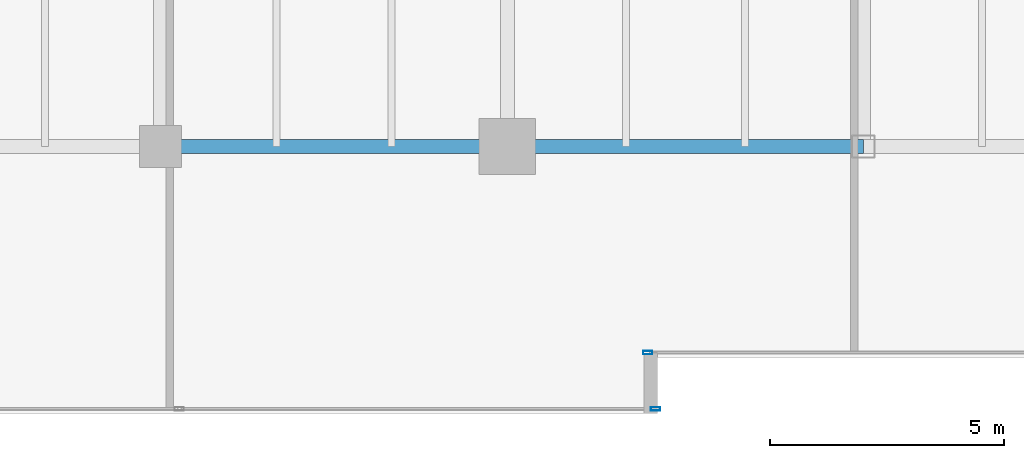
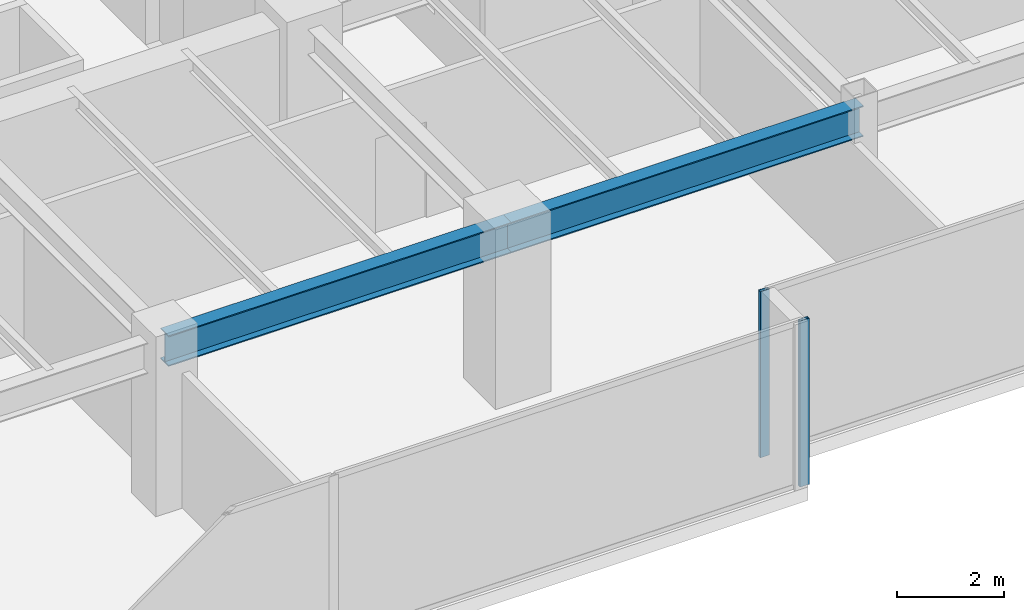
# One storey, part 4 of 31: 2 beams, 2 members, 2 elements without a shape of their own.
"""IFC4 building model written with IfcOpenShell, lengths in metres."""

from ifc_helpers import new_model, si_unit, direction, frame, origin, origin_2d, place, context, subcontext, project, spatial, hollow_rectangle, i_section, extrude, source, transform, mapped, material, layer, layer_set, material_profile, profile_set, type_object, type_shapes, element, aggregate, save


model = new_model("IFC4")

# Units and contexts
model_context = context("Model", 3, precision=1e-05, world=origin(), true_north=direction((0.0, 1.0)))
body_context = subcontext(model_context, "Body", "Model", "MODEL_VIEW")
ifc_project = project(units=[si_unit("LENGTHUNIT", "METRE"), si_unit("AREAUNIT", "SQUARE_METRE"), si_unit("VOLUMEUNIT", "CUBIC_METRE"), si_unit("PLANEANGLEUNIT", "RADIAN"), si_unit("MASSUNIT", "GRAM", prefix="KILO")], contexts=[model_context])

# Site, building, storey
site_placement = place(None, origin())
site = spatial("IfcSite", under=ifc_project, at=site_placement, CompositionType="ELEMENT")
building_placement = place(site_placement, origin())
building = spatial("IfcBuilding", under=site, at=building_placement, Name="Haelvirn Gate Laboratories", CompositionType="ELEMENT")
storey_placement = place(building_placement, frame((0.0, 0.0, 150.199951171875)))
storey = spatial("IfcBuildingStorey", under=building, at=storey_placement, Name="L36", CompositionType="ELEMENT", Elevation=150.199951171875)

# Beams
ifc_material_1 = material(Name="Steel SM355", Category="steel")
ifc_material_profile_1 = material_profile(ifc_material_1, i_section(OverallWidth=0.300048828125, OverallDepth=0.699951171875, WebThickness=0.012939453125, FlangeThickness=0.02392578125, at=origin_2d()), Name="H-700x300x13x24")
ifc_profile_set_1 = profile_set([ifc_material_profile_1], Name="Steel SM355")
beam_type = type_object("IfcBeamType", Name="BM-G-700", PredefinedType="BEAM", material=ifc_profile_set_1)
shared_shape_1 = source(origin(), body_context, "Body", "SweptSolid", [
    extrude(i_section(OverallWidth=0.300048828125, OverallDepth=0.699951171875, WebThickness=0.012939453125, FlangeThickness=0.02392578125, at=origin_2d()), origin(), (0.0, 0.0, 1.0), 7.39990234375),
])
beam_1_placement = place(storey_placement, frame((14.800048828125, 7.0, 3.43994140625), z_axis=(1.0, 0.0, 0.0), x_axis=(0.0, 1.0, 0.0)))
element("IfcBeam", 1, at=beam_1_placement, inside=storey, type_object=beam_type, Name="L36 Primary Girder Y7.0 (14.8-22.2)", PredefinedType="BEAM", context=body_context, shape_type="MappedRepresentation", body=[
    mapped(shared_shape_1, transform((0.0, 0.0, 0.0), scale=1.0)),
])
shared_shape_2 = source(origin(), body_context, "Body", "SweptSolid", [
    extrude(i_section(OverallWidth=0.300048828125, OverallDepth=0.699951171875, WebThickness=0.012939453125, FlangeThickness=0.02392578125, at=origin_2d()), origin(), (0.0, 0.0, 1.0), 7.60009765625),
])
type_shapes(beam_type, [shared_shape_1, shared_shape_2])
beam_2_placement = place(storey_placement, frame((22.199951171875, 7.0, 3.43994140625), z_axis=(1.0, 0.0, 0.0), x_axis=(0.0, 1.0, 0.0)))
element("IfcBeam", 2, at=beam_2_placement, inside=storey, type_object=beam_type, Name="L36 Primary Girder Y7.0 (22.2-29.8)", PredefinedType="BEAM", context=body_context, shape_type="MappedRepresentation", body=[
    mapped(shared_shape_2, transform((0.0, 0.0, 0.0), scale=1.0)),
])

# Curtain wall, member
ifc_material_2 = material(Name="Anodised bronze unitised aluminium & triple low-E glass", Category="aluminium")
ifc_layer = layer(ifc_material_2, 0.179931640625, Name="CW-SYS-3")
ifc_layer_set = layer_set([ifc_layer], Name="Anodised bronze unitised aluminium & triple low-E glass")
curtain_wall_type = type_object("IfcCurtainWallType", Name="CW-SYS-3", PredefinedType="NOTDEFINED", material=ifc_layer_set)
curtain_wall_1_placement = place(storey_placement, origin())
curtain_wall_1 = element("IfcCurtainWall", 3, at=curtain_wall_1_placement, inside=storey, type_object=curtain_wall_type, Name="L36 Unitised Curtain Wall CW-L36-P0-E00-1", PredefinedType="NOTDEFINED")
ifc_material_3 = material(Name="Extruded aluminium 6063-T6 (anodised bronze)", Category="aluminium")
ifc_material_profile_2 = material_profile(ifc_material_3, hollow_rectangle(XDim=0.074951171875, YDim=0.199951171875, WallThickness=0.0048828125, at=origin_2d()), Name="CWM-200x75x5")
ifc_profile_set_2 = profile_set([ifc_material_profile_2], Name="Extruded aluminium 6063-T6 (anodised bronze)")
member_type = type_object("IfcMemberType", Name="CWM-T200", PredefinedType="MULLION", material=ifc_profile_set_2)
shared_shape_3 = source(origin(), body_context, "Body", "SweptSolid", [
    extrude(hollow_rectangle(XDim=0.074951171875, YDim=0.199951171875, WallThickness=0.0048828125, at=origin_2d()), origin(), (0.0, 0.0, 1.0), 3.7900390625),
])
type_shapes(member_type, [shared_shape_3])
member_1_placement = place(storey_placement, frame((25.362548828125, 1.39990234375, 0.0), z_axis=(0.0, 0.0, 1.0), x_axis=(0.0, 1.0, 0.0)))
member_1 = element("IfcMember", 4, at=member_1_placement, type_object=member_type, Name="CW3 mullion 3", PredefinedType="MULLION", context=body_context, shape_type="MappedRepresentation", body=[
    mapped(shared_shape_3, transform((0.0, 0.0, 0.0), scale=1.0)),
])
aggregate(curtain_wall_1, [member_1])

curtain_wall_2_placement = place(storey_placement, origin())
curtain_wall_2 = element("IfcCurtainWall", 5, at=curtain_wall_2_placement, inside=storey, type_object=curtain_wall_type, Name="L36 Unitised Curtain Wall CW-L36-P0-E02-1", PredefinedType="NOTDEFINED")
member_2_placement = place(storey_placement, frame((25.197509765625, 2.60009765625, 0.0), z_axis=(0.0, 0.0, 1.0), x_axis=(0.0, 1.0, 0.0)))
member_2 = element("IfcMember", 6, at=member_2_placement, type_object=member_type, Name="CW3 mullion 1", PredefinedType="MULLION", context=body_context, shape_type="MappedRepresentation", body=[
    mapped(shared_shape_3, transform((0.0, 0.0, 0.0), scale=1.0)),
])
aggregate(curtain_wall_2, [member_2])

save(model, "model.ifc")
